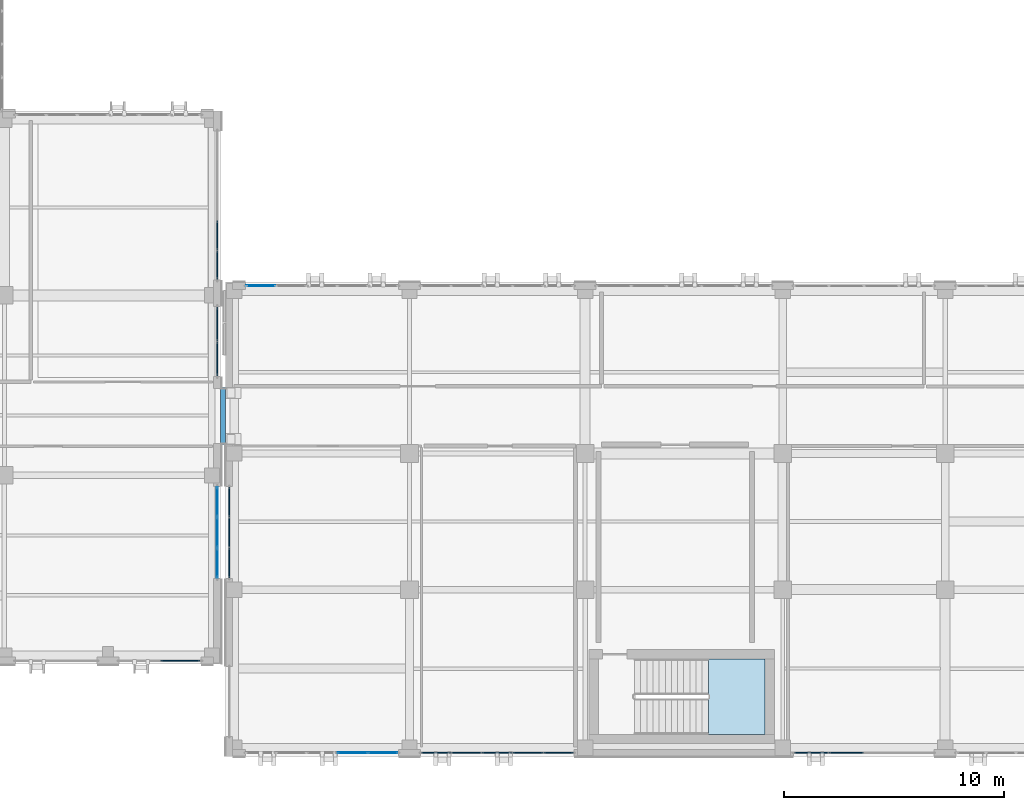
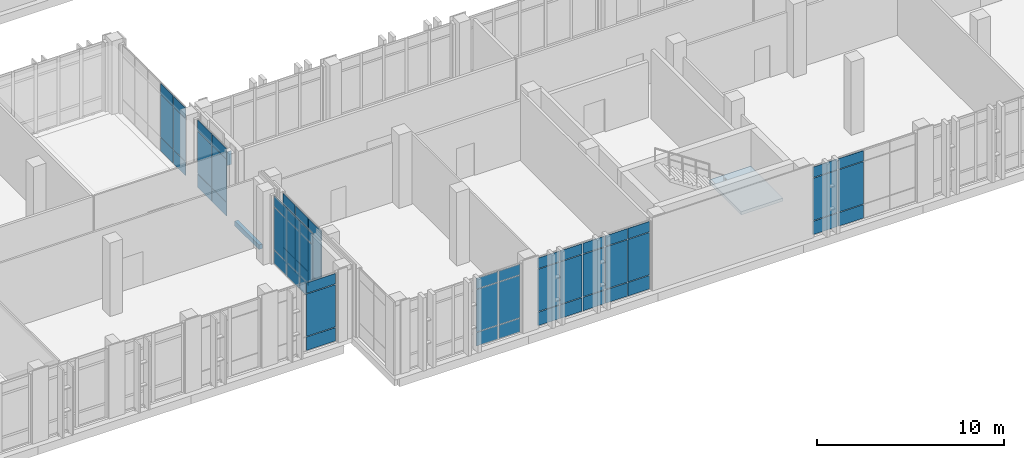
# One storey, part 136 of 189: 61 plates, 2 slabs, 10 elements without a shape of their own.
"""IFC4 building model written with IfcOpenShell, lengths in metres."""

from ifc_helpers import new_model, si_unit, direction, frame, origin, origin_2d, place, context, subcontext, project, spatial, polyline, rectangle, outline, extrude, material, layer, layer_set, type_object, element, aggregate, save


model = new_model("IFC4")

# Units and contexts
model_context = context("Model", 3, precision=1e-05, world=origin(), true_north=direction((0.0, 1.0)))
body_context = subcontext(model_context, "Body", "Model", "MODEL_VIEW")
ifc_project = project(units=[si_unit("LENGTHUNIT", "METRE"), si_unit("AREAUNIT", "SQUARE_METRE"), si_unit("VOLUMEUNIT", "CUBIC_METRE"), si_unit("PLANEANGLEUNIT", "RADIAN"), si_unit("MASSUNIT", "GRAM", prefix="KILO")], contexts=[model_context])

# Site, building, storey
site_placement = place(None, origin())
site = spatial("IfcSite", under=ifc_project, at=site_placement, CompositionType="ELEMENT")
building_placement = place(site_placement, origin())
building = spatial("IfcBuilding", under=site, at=building_placement, Name="Qalavern Law Courts", CompositionType="ELEMENT")
storey_placement = place(building_placement, frame((0.0, 0.0, 5.39990234375)))
storey = spatial("IfcBuildingStorey", under=building, at=storey_placement, Name="L01", CompositionType="ELEMENT", Elevation=5.39990234375)

# Curtain wall, plate
ifc_material_1 = material(Name="Anodised aluminium and insulated glazing", Category="aluminium")
ifc_layer_1 = layer(ifc_material_1, 0.172119140625)
ifc_layer_set_1 = layer_set([ifc_layer_1], Name="Anodised aluminium and insulated glazing")
curtain_wall_type_1 = type_object("IfcCurtainWallType", Name="ENV-CW-COURT", PredefinedType="USERDEFINED", material=ifc_layer_set_1)
curtain_wall_1_placement = place(storey_placement, origin())
curtain_wall_1 = element("IfcCurtainWall", 1, at=curtain_wall_1_placement, inside=storey, type_object=curtain_wall_type_1, Name="V6 unitised curtain wall L01 north 8", ObjectType="UNITISED CURTAIN WALL", PredefinedType="USERDEFINED")
ifc_material_2 = material(Name="Insulated low-E acoustic glazing", Category="glass")
ifc_layer_2 = layer(ifc_material_2, 0.0400390625)
ifc_layer_set_2 = layer_set([ifc_layer_2], Name="Insulated low-E acoustic glazing")
plate_type_1 = type_object("IfcPlateType", Name="ENV-CWP-40", PredefinedType="CURTAIN_PANEL", material=ifc_layer_set_2)
plate_1_placement = place(storey_placement, frame((103.030029296875, 22.4375, 0.048095703125), z_axis=(0.0, 0.0, 1.0), x_axis=(-1.0, 0.0, 0.0)))
plate_1 = element("IfcPlate", 2, at=plate_1_placement, type_object=plate_type_1, Name="CW-03 panel 5.1", PredefinedType="CURTAIN_PANEL", context=body_context, shape_type="SweptSolid", body=[
    extrude(rectangle(XDim=1.323974609375, YDim=0.0400390625, at=origin_2d()), origin(), (0.0, 0.0, 1.0), 0.8779296875),
])
aggregate(curtain_wall_1, [plate_1])

# Curtain wall, plates
ifc_layer_3 = layer(ifc_material_1, 0.18505859375)
ifc_layer_set_3 = layer_set([ifc_layer_3], Name="Anodised aluminium and insulated glazing")
curtain_wall_type_2 = type_object("IfcCurtainWallType", Name="ENV-CW-HALL", PredefinedType="USERDEFINED", material=ifc_layer_set_3)
curtain_wall_2_placement = place(storey_placement, origin())
curtain_wall_2 = element("IfcCurtainWall", 3, at=curtain_wall_2_placement, inside=storey, type_object=curtain_wall_type_2, Name="V2 unitised curtain wall L01 east 1", ObjectType="UNITISED CURTAIN WALL", PredefinedType="USERDEFINED")
ifc_layer_4 = layer(ifc_material_2, 0.0439453125)
ifc_layer_set_4 = layer_set([ifc_layer_4], Name="Insulated low-E acoustic glazing")
plate_type_2 = type_object("IfcPlateType", Name="ENV-CWP-44", PredefinedType="CURTAIN_PANEL", material=ifc_layer_set_4)
plate_2_placement = place(storey_placement, frame((101.03759765625, 9.81201171875, 0.048095703125), z_axis=(0.0, 0.0, 1.0), x_axis=(0.0, 1.0, 0.0)))
plate_2 = element("IfcPlate", 4, at=plate_2_placement, type_object=plate_type_2, Name="CW-02 panel 1.1", PredefinedType="CURTAIN_PANEL", context=body_context, shape_type="SweptSolid", body=[
    extrude(rectangle(XDim=1.327880859375, YDim=0.0439453125, at=origin_2d()), origin(), (0.0, 0.0, 1.0), 0.8779296875),
])
plate_3_placement = place(storey_placement, frame((101.03759765625, 9.81201171875, 0.97412109375), z_axis=(0.0, 0.0, 1.0), x_axis=(0.0, 1.0, 0.0)))
plate_3 = element("IfcPlate", 5, at=plate_3_placement, type_object=plate_type_2, Name="CW-02 panel 1.2", PredefinedType="CURTAIN_PANEL", context=body_context, shape_type="SweptSolid", body=[
    extrude(rectangle(XDim=1.327880859375, YDim=0.0439453125, at=origin_2d()), origin(), (0.0, 0.0, 1.0), 2.761962890625),
])
plate_4_placement = place(storey_placement, frame((101.03759765625, 9.81201171875, 3.7841796875), z_axis=(0.0, 0.0, 1.0), x_axis=(0.0, 1.0, 0.0)))
plate_4 = element("IfcPlate", 6, at=plate_4_placement, type_object=plate_type_2, Name="CW-02 panel 1.3", PredefinedType="CURTAIN_PANEL", context=body_context, shape_type="SweptSolid", body=[
    extrude(rectangle(XDim=1.327880859375, YDim=0.0439453125, at=origin_2d()), origin(), (0.0, 0.0, 1.0), 0.677978515625),
])
plate_5_placement = place(storey_placement, frame((101.03759765625, 11.199951171875, 0.048095703125), z_axis=(0.0, 0.0, 1.0), x_axis=(0.0, 1.0, 0.0)))
plate_5 = element("IfcPlate", 7, at=plate_5_placement, type_object=plate_type_2, Name="CW-02 panel 2.1", PredefinedType="CURTAIN_PANEL", context=body_context, shape_type="SweptSolid", body=[
    extrude(rectangle(XDim=1.35205078125, YDim=0.0439453125, at=origin_2d()), origin(), (0.0, 0.0, 1.0), 0.8779296875),
])
plate_6_placement = place(storey_placement, frame((101.03759765625, 11.199951171875, 0.97412109375), z_axis=(0.0, 0.0, 1.0), x_axis=(0.0, 1.0, 0.0)))
plate_6 = element("IfcPlate", 8, at=plate_6_placement, type_object=plate_type_2, Name="CW-02 panel 2.2", PredefinedType="CURTAIN_PANEL", context=body_context, shape_type="SweptSolid", body=[
    extrude(rectangle(XDim=1.35205078125, YDim=0.0439453125, at=origin_2d()), origin(), (0.0, 0.0, 1.0), 2.761962890625),
])
plate_7_placement = place(storey_placement, frame((101.03759765625, 11.199951171875, 3.7841796875), z_axis=(0.0, 0.0, 1.0), x_axis=(0.0, 1.0, 0.0)))
plate_7 = element("IfcPlate", 9, at=plate_7_placement, type_object=plate_type_2, Name="CW-02 panel 2.3", PredefinedType="CURTAIN_PANEL", context=body_context, shape_type="SweptSolid", body=[
    extrude(rectangle(XDim=1.35205078125, YDim=0.0439453125, at=origin_2d()), origin(), (0.0, 0.0, 1.0), 0.677978515625),
])
plate_8_placement = place(storey_placement, frame((101.03759765625, 12.587890625, 0.048095703125), z_axis=(0.0, 0.0, 1.0), x_axis=(0.0, 1.0, 0.0)))
plate_8 = element("IfcPlate", 10, at=plate_8_placement, type_object=plate_type_2, Name="CW-02 panel 3.1", PredefinedType="CURTAIN_PANEL", context=body_context, shape_type="SweptSolid", body=[
    extrude(rectangle(XDim=1.327880859375, YDim=0.0439453125, at=origin_2d()), origin(), (0.0, 0.0, 1.0), 0.8779296875),
])
plate_9_placement = place(storey_placement, frame((101.03759765625, 12.587890625, 0.97412109375), z_axis=(0.0, 0.0, 1.0), x_axis=(0.0, 1.0, 0.0)))
plate_9 = element("IfcPlate", 11, at=plate_9_placement, type_object=plate_type_2, Name="CW-02 panel 3.2", PredefinedType="CURTAIN_PANEL", context=body_context, shape_type="SweptSolid", body=[
    extrude(rectangle(XDim=1.327880859375, YDim=0.0439453125, at=origin_2d()), origin(), (0.0, 0.0, 1.0), 2.761962890625),
])
plate_10_placement = place(storey_placement, frame((101.03759765625, 12.587890625, 3.7841796875), z_axis=(0.0, 0.0, 1.0), x_axis=(0.0, 1.0, 0.0)))
plate_10 = element("IfcPlate", 12, at=plate_10_placement, type_object=plate_type_2, Name="CW-02 panel 3.3", PredefinedType="CURTAIN_PANEL", context=body_context, shape_type="SweptSolid", body=[
    extrude(rectangle(XDim=1.327880859375, YDim=0.0439453125, at=origin_2d()), origin(), (0.0, 0.0, 1.0), 0.677978515625),
])
aggregate(curtain_wall_2, [plate_2, plate_3, plate_4, plate_5, plate_6, plate_7, plate_8, plate_9, plate_10])

curtain_wall_3_placement = place(storey_placement, origin())
curtain_wall_3 = element("IfcCurtainWall", 13, at=curtain_wall_3_placement, inside=storey, type_object=curtain_wall_type_1, Name="V6 unitised curtain wall L01 south 1", ObjectType="UNITISED CURTAIN WALL", PredefinedType="USERDEFINED")
plate_11_placement = place(storey_placement, frame((107.2060546875, 1.16259765625, 0.048095703125), z_axis=(0.0, 0.0, 1.0), x_axis=(1.0, 0.0, 0.0)))
plate_11 = element("IfcPlate", 14, at=plate_11_placement, type_object=plate_type_2, Name="CW-03 panel 4.1", PredefinedType="CURTAIN_PANEL", context=body_context, shape_type="SweptSolid", body=[
    extrude(rectangle(XDim=1.347900390625, YDim=0.0439453125, at=origin_2d()), origin(), (0.0, 0.0, 1.0), 0.8779296875),
])
plate_12_placement = place(storey_placement, frame((107.2060546875, 1.16259765625, 0.97412109375), z_axis=(0.0, 0.0, 1.0), x_axis=(1.0, 0.0, 0.0)))
plate_12 = element("IfcPlate", 15, at=plate_12_placement, type_object=plate_type_2, Name="CW-03 panel 4.2", PredefinedType="CURTAIN_PANEL", context=body_context, shape_type="SweptSolid", body=[
    extrude(rectangle(XDim=1.347900390625, YDim=0.0439453125, at=origin_2d()), origin(), (0.0, 0.0, 1.0), 2.761962890625),
])
plate_13_placement = place(storey_placement, frame((107.2060546875, 1.16259765625, 3.7841796875), z_axis=(0.0, 0.0, 1.0), x_axis=(1.0, 0.0, 0.0)))
plate_13 = element("IfcPlate", 16, at=plate_13_placement, type_object=plate_type_2, Name="CW-03 panel 4.3", PredefinedType="CURTAIN_PANEL", context=body_context, shape_type="SweptSolid", body=[
    extrude(rectangle(XDim=1.347900390625, YDim=0.0439453125, at=origin_2d()), origin(), (0.0, 0.0, 1.0), 0.677978515625),
])
plate_14_placement = place(storey_placement, frame((108.590087890625, 1.16259765625, 0.048095703125), z_axis=(0.0, 0.0, 1.0), x_axis=(1.0, 0.0, 0.0)))
plate_14 = element("IfcPlate", 17, at=plate_14_placement, type_object=plate_type_2, Name="CW-03 panel 5.1", PredefinedType="CURTAIN_PANEL", context=body_context, shape_type="SweptSolid", body=[
    extrude(rectangle(XDim=1.323974609375, YDim=0.0439453125, at=origin_2d()), origin(), (0.0, 0.0, 1.0), 0.8779296875),
])
plate_15_placement = place(storey_placement, frame((108.590087890625, 1.16259765625, 0.97412109375), z_axis=(0.0, 0.0, 1.0), x_axis=(1.0, 0.0, 0.0)))
plate_15 = element("IfcPlate", 18, at=plate_15_placement, type_object=plate_type_2, Name="CW-03 panel 5.2", PredefinedType="CURTAIN_PANEL", context=body_context, shape_type="SweptSolid", body=[
    extrude(rectangle(XDim=1.323974609375, YDim=0.0439453125, at=origin_2d()), origin(), (0.0, 0.0, 1.0), 2.761962890625),
])
plate_16_placement = place(storey_placement, frame((108.590087890625, 1.16259765625, 3.7841796875), z_axis=(0.0, 0.0, 1.0), x_axis=(1.0, 0.0, 0.0)))
plate_16 = element("IfcPlate", 19, at=plate_16_placement, type_object=plate_type_2, Name="CW-03 panel 5.3", PredefinedType="CURTAIN_PANEL", context=body_context, shape_type="SweptSolid", body=[
    extrude(rectangle(XDim=1.323974609375, YDim=0.0439453125, at=origin_2d()), origin(), (0.0, 0.0, 1.0), 0.677978515625),
])
aggregate(curtain_wall_3, [plate_11, plate_12, plate_13, plate_14, plate_15, plate_16])

curtain_wall_4_placement = place(storey_placement, origin())
curtain_wall_4 = element("IfcCurtainWall", 20, at=curtain_wall_4_placement, inside=storey, type_object=curtain_wall_type_2, Name="V2 unitised curtain wall L01 east 1", ObjectType="UNITISED CURTAIN WALL", PredefinedType="USERDEFINED")
ifc_layer_5 = layer(ifc_material_2, 0.048095703125)
ifc_layer_set_5 = layer_set([ifc_layer_5], Name="Insulated low-E acoustic glazing")
plate_type_3 = type_object("IfcPlateType", Name="ENV-CWP-48", PredefinedType="CURTAIN_PANEL", material=ifc_layer_set_5)
plate_17_placement = place(storey_placement, frame((101.03759765625, 19.112060546875, 0.048095703125), z_axis=(0.0, 0.0, 1.0), x_axis=(0.0, 1.0, 0.0)))
plate_17 = element("IfcPlate", 21, at=plate_17_placement, type_object=plate_type_3, Name="CW-02 panel 1.1", PredefinedType="CURTAIN_PANEL", context=body_context, shape_type="SweptSolid", body=[
    extrude(rectangle(XDim=1.528076171875, YDim=0.048095703125, at=origin_2d()), origin(), (0.0, 0.0, 1.0), 0.8779296875),
])
plate_18_placement = place(storey_placement, frame((101.03759765625, 19.112060546875, 0.97412109375), z_axis=(0.0, 0.0, 1.0), x_axis=(0.0, 1.0, 0.0)))
plate_18 = element("IfcPlate", 22, at=plate_18_placement, type_object=plate_type_3, Name="CW-02 panel 1.2", PredefinedType="CURTAIN_PANEL", context=body_context, shape_type="SweptSolid", body=[
    extrude(rectangle(XDim=1.528076171875, YDim=0.048095703125, at=origin_2d()), origin(), (0.0, 0.0, 1.0), 2.761962890625),
])
plate_19_placement = place(storey_placement, frame((101.03759765625, 19.112060546875, 3.7841796875), z_axis=(0.0, 0.0, 1.0), x_axis=(0.0, 1.0, 0.0)))
plate_19 = element("IfcPlate", 23, at=plate_19_placement, type_object=plate_type_3, Name="CW-02 panel 1.3", PredefinedType="CURTAIN_PANEL", context=body_context, shape_type="SweptSolid", body=[
    extrude(rectangle(XDim=1.528076171875, YDim=0.048095703125, at=origin_2d()), origin(), (0.0, 0.0, 1.0), 0.677978515625),
])
plate_20_placement = place(storey_placement, frame((101.03759765625, 20.68798828125, 0.048095703125), z_axis=(0.0, 0.0, 1.0), x_axis=(0.0, 1.0, 0.0)))
plate_20 = element("IfcPlate", 24, at=plate_20_placement, type_object=plate_type_3, Name="CW-02 panel 2.1", PredefinedType="CURTAIN_PANEL", context=body_context, shape_type="SweptSolid", body=[
    extrude(rectangle(XDim=1.528076171875, YDim=0.048095703125, at=origin_2d()), origin(), (0.0, 0.0, 1.0), 0.8779296875),
])
plate_21_placement = place(storey_placement, frame((101.03759765625, 20.68798828125, 0.97412109375), z_axis=(0.0, 0.0, 1.0), x_axis=(0.0, 1.0, 0.0)))
plate_21 = element("IfcPlate", 25, at=plate_21_placement, type_object=plate_type_3, Name="CW-02 panel 2.2", PredefinedType="CURTAIN_PANEL", context=body_context, shape_type="SweptSolid", body=[
    extrude(rectangle(XDim=1.528076171875, YDim=0.048095703125, at=origin_2d()), origin(), (0.0, 0.0, 1.0), 2.761962890625),
])
plate_22_placement = place(storey_placement, frame((101.03759765625, 20.68798828125, 3.7841796875), z_axis=(0.0, 0.0, 1.0), x_axis=(0.0, 1.0, 0.0)))
plate_22 = element("IfcPlate", 26, at=plate_22_placement, type_object=plate_type_3, Name="CW-02 panel 2.3", PredefinedType="CURTAIN_PANEL", context=body_context, shape_type="SweptSolid", body=[
    extrude(rectangle(XDim=1.528076171875, YDim=0.048095703125, at=origin_2d()), origin(), (0.0, 0.0, 1.0), 0.677978515625),
])
aggregate(curtain_wall_4, [plate_17, plate_18, plate_19, plate_20, plate_21, plate_22])

curtain_wall_5_placement = place(storey_placement, origin())
curtain_wall_5 = element("IfcCurtainWall", 27, at=curtain_wall_5_placement, inside=storey, type_object=curtain_wall_type_1, Name="V6 unitised curtain wall L01 south 2", ObjectType="UNITISED CURTAIN WALL", PredefinedType="USERDEFINED")
plate_23_placement = place(storey_placement, frame((111.011962890625, 1.16259765625, 0.048095703125), z_axis=(0.0, 0.0, 1.0), x_axis=(1.0, 0.0, 0.0)))
plate_23 = element("IfcPlate", 28, at=plate_23_placement, type_object=plate_type_3, Name="CW-03 panel 1.1", PredefinedType="CURTAIN_PANEL", context=body_context, shape_type="SweptSolid", body=[
    extrude(rectangle(XDim=1.327880859375, YDim=0.048095703125, at=origin_2d()), origin(), (0.0, 0.0, 1.0), 0.8779296875),
])
plate_24_placement = place(storey_placement, frame((111.011962890625, 1.16259765625, 0.97412109375), z_axis=(0.0, 0.0, 1.0), x_axis=(1.0, 0.0, 0.0)))
plate_24 = element("IfcPlate", 29, at=plate_24_placement, type_object=plate_type_3, Name="CW-03 panel 1.2", PredefinedType="CURTAIN_PANEL", context=body_context, shape_type="SweptSolid", body=[
    extrude(rectangle(XDim=1.327880859375, YDim=0.048095703125, at=origin_2d()), origin(), (0.0, 0.0, 1.0), 2.761962890625),
])
plate_25_placement = place(storey_placement, frame((111.011962890625, 1.16259765625, 3.7841796875), z_axis=(0.0, 0.0, 1.0), x_axis=(1.0, 0.0, 0.0)))
plate_25 = element("IfcPlate", 30, at=plate_25_placement, type_object=plate_type_3, Name="CW-03 panel 1.3", PredefinedType="CURTAIN_PANEL", context=body_context, shape_type="SweptSolid", body=[
    extrude(rectangle(XDim=1.327880859375, YDim=0.048095703125, at=origin_2d()), origin(), (0.0, 0.0, 1.0), 0.677978515625),
])
plate_26_placement = place(storey_placement, frame((112.39990234375, 1.16259765625, 0.048095703125), z_axis=(0.0, 0.0, 1.0), x_axis=(1.0, 0.0, 0.0)))
plate_26 = element("IfcPlate", 31, at=plate_26_placement, type_object=plate_type_3, Name="CW-03 panel 2.1", PredefinedType="CURTAIN_PANEL", context=body_context, shape_type="SweptSolid", body=[
    extrude(rectangle(XDim=1.35205078125, YDim=0.048095703125, at=origin_2d()), origin(), (0.0, 0.0, 1.0), 0.8779296875),
])
plate_27_placement = place(storey_placement, frame((112.39990234375, 1.16259765625, 0.97412109375), z_axis=(0.0, 0.0, 1.0), x_axis=(1.0, 0.0, 0.0)))
plate_27 = element("IfcPlate", 32, at=plate_27_placement, type_object=plate_type_3, Name="CW-03 panel 2.2", PredefinedType="CURTAIN_PANEL", context=body_context, shape_type="SweptSolid", body=[
    extrude(rectangle(XDim=1.35205078125, YDim=0.048095703125, at=origin_2d()), origin(), (0.0, 0.0, 1.0), 2.761962890625),
])
plate_28_placement = place(storey_placement, frame((112.39990234375, 1.16259765625, 3.7841796875), z_axis=(0.0, 0.0, 1.0), x_axis=(1.0, 0.0, 0.0)))
plate_28 = element("IfcPlate", 33, at=plate_28_placement, type_object=plate_type_3, Name="CW-03 panel 2.3", PredefinedType="CURTAIN_PANEL", context=body_context, shape_type="SweptSolid", body=[
    extrude(rectangle(XDim=1.35205078125, YDim=0.048095703125, at=origin_2d()), origin(), (0.0, 0.0, 1.0), 0.677978515625),
])
plate_29_placement = place(storey_placement, frame((113.800048828125, 1.16259765625, 0.048095703125), z_axis=(0.0, 0.0, 1.0), x_axis=(1.0, 0.0, 0.0)))
plate_29 = element("IfcPlate", 34, at=plate_29_placement, type_object=plate_type_3, Name="CW-03 panel 3.1", PredefinedType="CURTAIN_PANEL", context=body_context, shape_type="SweptSolid", body=[
    extrude(rectangle(XDim=1.35205078125, YDim=0.048095703125, at=origin_2d()), origin(), (0.0, 0.0, 1.0), 0.8779296875),
])
plate_30_placement = place(storey_placement, frame((113.800048828125, 1.16259765625, 0.97412109375), z_axis=(0.0, 0.0, 1.0), x_axis=(1.0, 0.0, 0.0)))
plate_30 = element("IfcPlate", 35, at=plate_30_placement, type_object=plate_type_3, Name="CW-03 panel 3.2", PredefinedType="CURTAIN_PANEL", context=body_context, shape_type="SweptSolid", body=[
    extrude(rectangle(XDim=1.35205078125, YDim=0.048095703125, at=origin_2d()), origin(), (0.0, 0.0, 1.0), 2.761962890625),
])
plate_31_placement = place(storey_placement, frame((113.800048828125, 1.16259765625, 3.7841796875), z_axis=(0.0, 0.0, 1.0), x_axis=(1.0, 0.0, 0.0)))
plate_31 = element("IfcPlate", 36, at=plate_31_placement, type_object=plate_type_3, Name="CW-03 panel 3.3", PredefinedType="CURTAIN_PANEL", context=body_context, shape_type="SweptSolid", body=[
    extrude(rectangle(XDim=1.35205078125, YDim=0.048095703125, at=origin_2d()), origin(), (0.0, 0.0, 1.0), 0.677978515625),
])
plate_32_placement = place(storey_placement, frame((115.199951171875, 1.16259765625, 0.048095703125), z_axis=(0.0, 0.0, 1.0), x_axis=(1.0, 0.0, 0.0)))
plate_32 = element("IfcPlate", 37, at=plate_32_placement, type_object=plate_type_3, Name="CW-03 panel 4.1", PredefinedType="CURTAIN_PANEL", context=body_context, shape_type="SweptSolid", body=[
    extrude(rectangle(XDim=1.35205078125, YDim=0.048095703125, at=origin_2d()), origin(), (0.0, 0.0, 1.0), 0.8779296875),
])
plate_33_placement = place(storey_placement, frame((115.199951171875, 1.16259765625, 0.97412109375), z_axis=(0.0, 0.0, 1.0), x_axis=(1.0, 0.0, 0.0)))
plate_33 = element("IfcPlate", 38, at=plate_33_placement, type_object=plate_type_3, Name="CW-03 panel 4.2", PredefinedType="CURTAIN_PANEL", context=body_context, shape_type="SweptSolid", body=[
    extrude(rectangle(XDim=1.35205078125, YDim=0.048095703125, at=origin_2d()), origin(), (0.0, 0.0, 1.0), 2.761962890625),
])
plate_34_placement = place(storey_placement, frame((115.199951171875, 1.16259765625, 3.7841796875), z_axis=(0.0, 0.0, 1.0), x_axis=(1.0, 0.0, 0.0)))
plate_34 = element("IfcPlate", 39, at=plate_34_placement, type_object=plate_type_3, Name="CW-03 panel 4.3", PredefinedType="CURTAIN_PANEL", context=body_context, shape_type="SweptSolid", body=[
    extrude(rectangle(XDim=1.35205078125, YDim=0.048095703125, at=origin_2d()), origin(), (0.0, 0.0, 1.0), 0.677978515625),
])
plate_35_placement = place(storey_placement, frame((116.587890625, 1.16259765625, 0.048095703125), z_axis=(0.0, 0.0, 1.0), x_axis=(1.0, 0.0, 0.0)))
plate_35 = element("IfcPlate", 40, at=plate_35_placement, type_object=plate_type_3, Name="CW-03 panel 5.1", PredefinedType="CURTAIN_PANEL", context=body_context, shape_type="SweptSolid", body=[
    extrude(rectangle(XDim=1.327880859375, YDim=0.048095703125, at=origin_2d()), origin(), (0.0, 0.0, 1.0), 0.8779296875),
])
plate_36_placement = place(storey_placement, frame((116.587890625, 1.16259765625, 0.97412109375), z_axis=(0.0, 0.0, 1.0), x_axis=(1.0, 0.0, 0.0)))
plate_36 = element("IfcPlate", 41, at=plate_36_placement, type_object=plate_type_3, Name="CW-03 panel 5.2", PredefinedType="CURTAIN_PANEL", context=body_context, shape_type="SweptSolid", body=[
    extrude(rectangle(XDim=1.327880859375, YDim=0.048095703125, at=origin_2d()), origin(), (0.0, 0.0, 1.0), 2.761962890625),
])
plate_37_placement = place(storey_placement, frame((116.587890625, 1.16259765625, 3.7841796875), z_axis=(0.0, 0.0, 1.0), x_axis=(1.0, 0.0, 0.0)))
plate_37 = element("IfcPlate", 42, at=plate_37_placement, type_object=plate_type_3, Name="CW-03 panel 5.3", PredefinedType="CURTAIN_PANEL", context=body_context, shape_type="SweptSolid", body=[
    extrude(rectangle(XDim=1.327880859375, YDim=0.048095703125, at=origin_2d()), origin(), (0.0, 0.0, 1.0), 0.677978515625),
])
aggregate(curtain_wall_5, [plate_23, plate_24, plate_25, plate_26, plate_27, plate_28, plate_29, plate_30, plate_31, plate_32, plate_33, plate_34, plate_35, plate_36, plate_37])

curtain_wall_6_placement = place(storey_placement, origin())
curtain_wall_6 = element("IfcCurtainWall", 43, at=curtain_wall_6_placement, inside=storey, type_object=curtain_wall_type_1, Name="V6 unitised curtain wall L01 west 1", ObjectType="UNITISED CURTAIN WALL", PredefinedType="USERDEFINED")
plate_38_placement = place(storey_placement, frame((101.58251953125, 12.587890625, 0.048095703125), z_axis=(0.0, 0.0, 1.0), x_axis=(0.0, -1.0, 0.0)))
plate_38 = element("IfcPlate", 44, at=plate_38_placement, type_object=plate_type_3, Name="CW-03 panel 1.1", PredefinedType="CURTAIN_PANEL", context=body_context, shape_type="SweptSolid", body=[
    extrude(rectangle(XDim=1.327880859375, YDim=0.048095703125, at=origin_2d()), origin(), (0.0, 0.0, 1.0), 0.8779296875),
])
plate_39_placement = place(storey_placement, frame((101.58251953125, 12.587890625, 0.97412109375), z_axis=(0.0, 0.0, 1.0), x_axis=(0.0, -1.0, 0.0)))
plate_39 = element("IfcPlate", 45, at=plate_39_placement, type_object=plate_type_3, Name="CW-03 panel 1.2", PredefinedType="CURTAIN_PANEL", context=body_context, shape_type="SweptSolid", body=[
    extrude(rectangle(XDim=1.327880859375, YDim=0.048095703125, at=origin_2d()), origin(), (0.0, 0.0, 1.0), 2.761962890625),
])
plate_40_placement = place(storey_placement, frame((101.58251953125, 12.587890625, 3.7841796875), z_axis=(0.0, 0.0, 1.0), x_axis=(0.0, -1.0, 0.0)))
plate_40 = element("IfcPlate", 46, at=plate_40_placement, type_object=plate_type_3, Name="CW-03 panel 1.3", PredefinedType="CURTAIN_PANEL", context=body_context, shape_type="SweptSolid", body=[
    extrude(rectangle(XDim=1.327880859375, YDim=0.048095703125, at=origin_2d()), origin(), (0.0, 0.0, 1.0), 0.677978515625),
])
plate_41_placement = place(storey_placement, frame((101.58251953125, 11.199951171875, 0.048095703125), z_axis=(0.0, 0.0, 1.0), x_axis=(0.0, -1.0, 0.0)))
plate_41 = element("IfcPlate", 47, at=plate_41_placement, type_object=plate_type_3, Name="CW-03 panel 2.1", PredefinedType="CURTAIN_PANEL", context=body_context, shape_type="SweptSolid", body=[
    extrude(rectangle(XDim=1.35205078125, YDim=0.048095703125, at=origin_2d()), origin(), (0.0, 0.0, 1.0), 0.8779296875),
])
plate_42_placement = place(storey_placement, frame((101.58251953125, 11.199951171875, 0.97412109375), z_axis=(0.0, 0.0, 1.0), x_axis=(0.0, -1.0, 0.0)))
plate_42 = element("IfcPlate", 48, at=plate_42_placement, type_object=plate_type_3, Name="CW-03 panel 2.2", PredefinedType="CURTAIN_PANEL", context=body_context, shape_type="SweptSolid", body=[
    extrude(rectangle(XDim=1.35205078125, YDim=0.048095703125, at=origin_2d()), origin(), (0.0, 0.0, 1.0), 2.761962890625),
])
plate_43_placement = place(storey_placement, frame((101.58251953125, 11.199951171875, 3.7841796875), z_axis=(0.0, 0.0, 1.0), x_axis=(0.0, -1.0, 0.0)))
plate_43 = element("IfcPlate", 49, at=plate_43_placement, type_object=plate_type_3, Name="CW-03 panel 2.3", PredefinedType="CURTAIN_PANEL", context=body_context, shape_type="SweptSolid", body=[
    extrude(rectangle(XDim=1.35205078125, YDim=0.048095703125, at=origin_2d()), origin(), (0.0, 0.0, 1.0), 0.677978515625),
])
plate_44_placement = place(storey_placement, frame((101.58251953125, 9.81201171875, 0.048095703125), z_axis=(0.0, 0.0, 1.0), x_axis=(0.0, -1.0, 0.0)))
plate_44 = element("IfcPlate", 50, at=plate_44_placement, type_object=plate_type_3, Name="CW-03 panel 3.1", PredefinedType="CURTAIN_PANEL", context=body_context, shape_type="SweptSolid", body=[
    extrude(rectangle(XDim=1.327880859375, YDim=0.048095703125, at=origin_2d()), origin(), (0.0, 0.0, 1.0), 0.8779296875),
])
plate_45_placement = place(storey_placement, frame((101.58251953125, 9.81201171875, 0.97412109375), z_axis=(0.0, 0.0, 1.0), x_axis=(0.0, -1.0, 0.0)))
plate_45 = element("IfcPlate", 51, at=plate_45_placement, type_object=plate_type_3, Name="CW-03 panel 3.2", PredefinedType="CURTAIN_PANEL", context=body_context, shape_type="SweptSolid", body=[
    extrude(rectangle(XDim=1.327880859375, YDim=0.048095703125, at=origin_2d()), origin(), (0.0, 0.0, 1.0), 2.761962890625),
])
plate_46_placement = place(storey_placement, frame((101.58251953125, 9.81201171875, 3.7841796875), z_axis=(0.0, 0.0, 1.0), x_axis=(0.0, -1.0, 0.0)))
plate_46 = element("IfcPlate", 52, at=plate_46_placement, type_object=plate_type_3, Name="CW-03 panel 3.3", PredefinedType="CURTAIN_PANEL", context=body_context, shape_type="SweptSolid", body=[
    extrude(rectangle(XDim=1.327880859375, YDim=0.048095703125, at=origin_2d()), origin(), (0.0, 0.0, 1.0), 0.677978515625),
])
aggregate(curtain_wall_6, [plate_38, plate_39, plate_40, plate_41, plate_42, plate_43, plate_44, plate_45, plate_46])

curtain_wall_7_placement = place(storey_placement, origin())
curtain_wall_7 = element("IfcCurtainWall", 53, at=curtain_wall_7_placement, inside=storey, type_object=curtain_wall_type_2, Name="V2 unitised curtain wall L01 south 11", ObjectType="UNITISED CURTAIN WALL", PredefinedType="USERDEFINED")
ifc_layer_6 = layer(ifc_material_2, 0.052001953125)
ifc_layer_set_6 = layer_set([ifc_layer_6], Name="Insulated low-E acoustic glazing")
plate_type_4 = type_object("IfcPlateType", Name="ENV-CWP-52", PredefinedType="CURTAIN_PANEL", material=ifc_layer_set_6)
plate_47_placement = place(storey_placement, frame((99.356201171875, 5.362548828125, 0.048095703125), z_axis=(0.0, 0.0, 1.0), x_axis=(1.0, 0.0, 0.0)))
plate_47 = element("IfcPlate", 54, at=plate_47_placement, type_object=plate_type_4, Name="CW-02 panel 2.1", PredefinedType="CURTAIN_PANEL", context=body_context, shape_type="SweptSolid", body=[
    extrude(rectangle(XDim=1.79150390625, YDim=0.052001953125, at=origin_2d()), origin(), (0.0, 0.0, 1.0), 0.8779296875),
])
plate_48_placement = place(storey_placement, frame((99.356201171875, 5.362548828125, 0.97412109375), z_axis=(0.0, 0.0, 1.0), x_axis=(1.0, 0.0, 0.0)))
plate_48 = element("IfcPlate", 55, at=plate_48_placement, type_object=plate_type_4, Name="CW-02 panel 2.2", PredefinedType="CURTAIN_PANEL", context=body_context, shape_type="SweptSolid", body=[
    extrude(rectangle(XDim=1.79150390625, YDim=0.052001953125, at=origin_2d()), origin(), (0.0, 0.0, 1.0), 2.761962890625),
])
plate_49_placement = place(storey_placement, frame((99.356201171875, 5.362548828125, 3.7841796875), z_axis=(0.0, 0.0, 1.0), x_axis=(1.0, 0.0, 0.0)))
plate_49 = element("IfcPlate", 56, at=plate_49_placement, type_object=plate_type_4, Name="CW-02 panel 2.3", PredefinedType="CURTAIN_PANEL", context=body_context, shape_type="SweptSolid", body=[
    extrude(rectangle(XDim=1.79150390625, YDim=0.052001953125, at=origin_2d()), origin(), (0.0, 0.0, 1.0), 0.677978515625),
])
aggregate(curtain_wall_7, [plate_47, plate_48, plate_49])

curtain_wall_8_placement = place(storey_placement, origin())
curtain_wall_8 = element("IfcCurtainWall", 57, at=curtain_wall_8_placement, inside=storey, type_object=curtain_wall_type_2, Name="V2 unitised curtain wall L01 east 2", ObjectType="UNITISED CURTAIN WALL", PredefinedType="USERDEFINED")
plate_50_placement = place(storey_placement, frame((101.03759765625, 23.39208984375, 0.048095703125), z_axis=(0.0, 0.0, 1.0), x_axis=(0.0, 1.0, 0.0)))
plate_50 = element("IfcPlate", 58, at=plate_50_placement, type_object=plate_type_4, Name="CW-02 panel 1.1", PredefinedType="CURTAIN_PANEL", context=body_context, shape_type="SweptSolid", body=[
    extrude(rectangle(XDim=1.2880859375, YDim=0.052001953125, at=origin_2d()), origin(), (0.0, 0.0, 1.0), 0.8779296875),
])
plate_51_placement = place(storey_placement, frame((101.03759765625, 23.39208984375, 0.97412109375), z_axis=(0.0, 0.0, 1.0), x_axis=(0.0, 1.0, 0.0)))
plate_51 = element("IfcPlate", 59, at=plate_51_placement, type_object=plate_type_4, Name="CW-02 panel 1.2", PredefinedType="CURTAIN_PANEL", context=body_context, shape_type="SweptSolid", body=[
    extrude(rectangle(XDim=1.2880859375, YDim=0.052001953125, at=origin_2d()), origin(), (0.0, 0.0, 1.0), 2.761962890625),
])
plate_52_placement = place(storey_placement, frame((101.03759765625, 23.39208984375, 3.7841796875), z_axis=(0.0, 0.0, 1.0), x_axis=(0.0, 1.0, 0.0)))
plate_52 = element("IfcPlate", 60, at=plate_52_placement, type_object=plate_type_4, Name="CW-02 panel 1.3", PredefinedType="CURTAIN_PANEL", context=body_context, shape_type="SweptSolid", body=[
    extrude(rectangle(XDim=1.2880859375, YDim=0.052001953125, at=origin_2d()), origin(), (0.0, 0.0, 1.0), 0.677978515625),
])
plate_53_placement = place(storey_placement, frame((101.03759765625, 24.739990234375, 0.048095703125), z_axis=(0.0, 0.0, 1.0), x_axis=(0.0, 1.0, 0.0)))
plate_53 = element("IfcPlate", 61, at=plate_53_placement, type_object=plate_type_4, Name="CW-02 panel 2.1", PredefinedType="CURTAIN_PANEL", context=body_context, shape_type="SweptSolid", body=[
    extrude(rectangle(XDim=1.31201171875, YDim=0.052001953125, at=origin_2d()), origin(), (0.0, 0.0, 1.0), 0.8779296875),
])
plate_54_placement = place(storey_placement, frame((101.03759765625, 24.739990234375, 0.97412109375), z_axis=(0.0, 0.0, 1.0), x_axis=(0.0, 1.0, 0.0)))
plate_54 = element("IfcPlate", 62, at=plate_54_placement, type_object=plate_type_4, Name="CW-02 panel 2.2", PredefinedType="CURTAIN_PANEL", context=body_context, shape_type="SweptSolid", body=[
    extrude(rectangle(XDim=1.31201171875, YDim=0.052001953125, at=origin_2d()), origin(), (0.0, 0.0, 1.0), 2.761962890625),
])
plate_55_placement = place(storey_placement, frame((101.03759765625, 24.739990234375, 3.7841796875), z_axis=(0.0, 0.0, 1.0), x_axis=(0.0, 1.0, 0.0)))
plate_55 = element("IfcPlate", 63, at=plate_55_placement, type_object=plate_type_4, Name="CW-02 panel 2.3", PredefinedType="CURTAIN_PANEL", context=body_context, shape_type="SweptSolid", body=[
    extrude(rectangle(XDim=1.31201171875, YDim=0.052001953125, at=origin_2d()), origin(), (0.0, 0.0, 1.0), 0.677978515625),
])
aggregate(curtain_wall_8, [plate_50, plate_51, plate_52, plate_53, plate_54, plate_55])

curtain_wall_9_placement = place(storey_placement, origin())
curtain_wall_9 = element("IfcCurtainWall", 64, at=curtain_wall_9_placement, inside=storey, type_object=curtain_wall_type_1, Name="V6 unitised curtain wall L01 south 3", ObjectType="UNITISED CURTAIN WALL", PredefinedType="USERDEFINED")
plate_56_placement = place(storey_placement, frame((128.112060546875, 1.16259765625, 0.048095703125), z_axis=(0.0, 0.0, 1.0), x_axis=(1.0, 0.0, 0.0)))
plate_56 = element("IfcPlate", 65, at=plate_56_placement, type_object=plate_type_4, Name="CW-03 panel 1.1", PredefinedType="CURTAIN_PANEL", context=body_context, shape_type="SweptSolid", body=[
    extrude(rectangle(XDim=1.528076171875, YDim=0.052001953125, at=origin_2d()), origin(), (0.0, 0.0, 1.0), 0.8779296875),
])
plate_57_placement = place(storey_placement, frame((128.112060546875, 1.16259765625, 0.97412109375), z_axis=(0.0, 0.0, 1.0), x_axis=(1.0, 0.0, 0.0)))
plate_57 = element("IfcPlate", 66, at=plate_57_placement, type_object=plate_type_4, Name="CW-03 panel 1.2", PredefinedType="CURTAIN_PANEL", context=body_context, shape_type="SweptSolid", body=[
    extrude(rectangle(XDim=1.528076171875, YDim=0.052001953125, at=origin_2d()), origin(), (0.0, 0.0, 1.0), 2.761962890625),
])
plate_58_placement = place(storey_placement, frame((128.112060546875, 1.16259765625, 3.7841796875), z_axis=(0.0, 0.0, 1.0), x_axis=(1.0, 0.0, 0.0)))
plate_58 = element("IfcPlate", 67, at=plate_58_placement, type_object=plate_type_4, Name="CW-03 panel 1.3", PredefinedType="CURTAIN_PANEL", context=body_context, shape_type="SweptSolid", body=[
    extrude(rectangle(XDim=1.528076171875, YDim=0.052001953125, at=origin_2d()), origin(), (0.0, 0.0, 1.0), 0.677978515625),
])
plate_59_placement = place(storey_placement, frame((129.699951171875, 1.16259765625, 0.048095703125), z_axis=(0.0, 0.0, 1.0), x_axis=(1.0, 0.0, 0.0)))
plate_59 = element("IfcPlate", 68, at=plate_59_placement, type_object=plate_type_4, Name="CW-03 panel 2.1", PredefinedType="CURTAIN_PANEL", context=body_context, shape_type="SweptSolid", body=[
    extrude(rectangle(XDim=1.552001953125, YDim=0.052001953125, at=origin_2d()), origin(), (0.0, 0.0, 1.0), 0.8779296875),
])
plate_60_placement = place(storey_placement, frame((129.699951171875, 1.16259765625, 0.97412109375), z_axis=(0.0, 0.0, 1.0), x_axis=(1.0, 0.0, 0.0)))
plate_60 = element("IfcPlate", 69, at=plate_60_placement, type_object=plate_type_4, Name="CW-03 panel 2.2", PredefinedType="CURTAIN_PANEL", context=body_context, shape_type="SweptSolid", body=[
    extrude(rectangle(XDim=1.552001953125, YDim=0.052001953125, at=origin_2d()), origin(), (0.0, 0.0, 1.0), 2.761962890625),
])
plate_61_placement = place(storey_placement, frame((129.699951171875, 1.16259765625, 3.7841796875), z_axis=(0.0, 0.0, 1.0), x_axis=(1.0, 0.0, 0.0)))
plate_61 = element("IfcPlate", 70, at=plate_61_placement, type_object=plate_type_4, Name="CW-03 panel 2.3", PredefinedType="CURTAIN_PANEL", context=body_context, shape_type="SweptSolid", body=[
    extrude(rectangle(XDim=1.552001953125, YDim=0.052001953125, at=origin_2d()), origin(), (0.0, 0.0, 1.0), 0.677978515625),
])
aggregate(curtain_wall_9, [plate_56, plate_57, plate_58, plate_59, plate_60, plate_61])

# Stair, slab
ifc_material_3 = material(Name="Concrete C35/45", Category="concrete")
stair_type = type_object("IfcStairType", Name="INT-STAIR-1650", PredefinedType="HALF_TURN_STAIR", material=ifc_material_3)
stair_placement = place(storey_placement, origin())
stair = element("IfcStair", 71, at=stair_placement, inside=storey, type_object=stair_type, Name="L01 ST-K5", PredefinedType="HALF_TURN_STAIR")
ifc_layer_7 = layer(ifc_material_3, 0.199951171875)
ifc_layer_set_7 = layer_set([ifc_layer_7], Name="Concrete C35/45")
slab_type_1 = type_object("IfcSlabType", Name="INT-LANDING-200", PredefinedType="LANDING", material=ifc_layer_set_7)
slab_1_placement = place(storey_placement, frame((0.0, 0.0, 2.2001953125)))
slab_1 = element("IfcSlab", 72, at=slab_1_placement, type_object=slab_type_1, Name="ST-K5 landing 1", PredefinedType="LANDING", context=body_context, shape_type="SweptSolid", body=[
    extrude(outline(polyline([(123.409912109375, 2.0), (126.0, 2.0), (126.0, 5.449951171875), (123.409912109375, 5.449951171875), (123.409912109375, 2.0)])), origin(), (0.0, 0.0, 1.0), 0.199951171875),
])
aggregate(stair, [slab_1])

# Slab
ifc_material_4 = material(Name="Concrete C40/50", Category="concrete")
ifc_layer_8 = layer(ifc_material_4, 0.300048828125)
ifc_layer_set_8 = layer_set([ifc_layer_8], Name="Concrete C40/50")
slab_type_2 = type_object("IfcSlabType", Name="STR-SLB-L01-300", PredefinedType="FLOOR", material=ifc_layer_set_8)
slab_2_placement = place(storey_placement, frame((0.0, 0.0, -0.2998046875)))
element("IfcSlab", 73, at=slab_2_placement, inside=storey, type_object=slab_type_2, Name="Bridge BR-V2-V6 deck slab L01", PredefinedType="FLOOR", context=body_context, shape_type="SweptSolid", body=[
    extrude(outline(polyline([(101.199951171875, 15.199951171875), (101.419921875, 15.199951171875), (101.419921875, 17.800048828125), (101.199951171875, 17.800048828125), (101.199951171875, 15.199951171875)])), origin(), (0.0, 0.0, 1.0), 0.2998046875),
])

save(model, "model.ifc")
